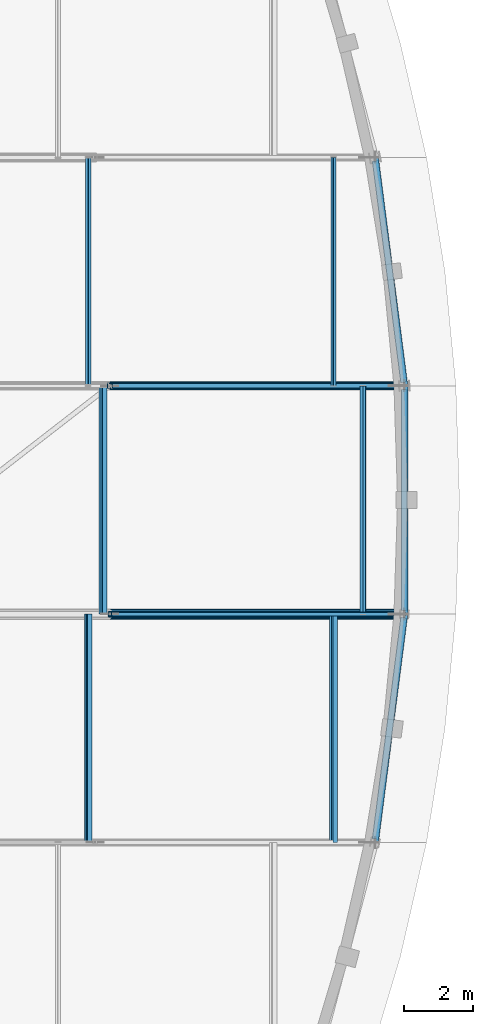
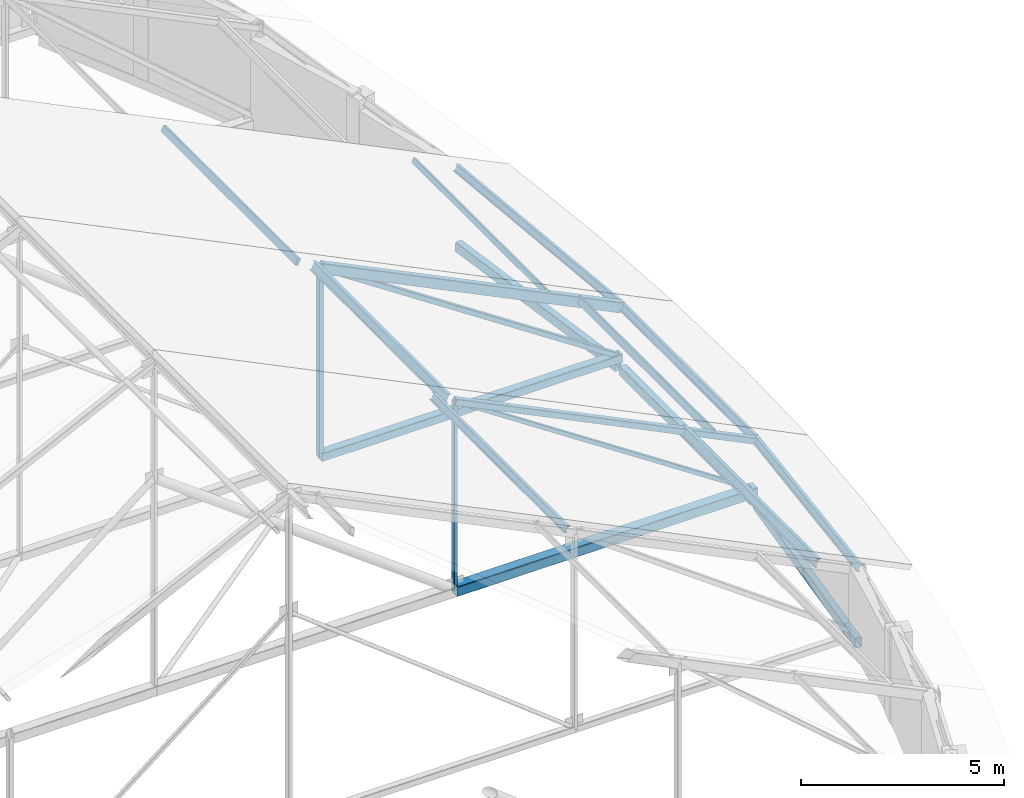
# One storey, part 32 of 78: 17 members, 3 beams.
"""IFC4 building model written with IfcOpenShell, lengths in metres."""

from ifc_helpers import new_model, si_unit, direction, frame, origin, origin_2d, place, context, subcontext, project, spatial, hollow_rectangle, i_section, extrude, material, material_profile, profile_set, type_object, element, save


model = new_model("IFC4")

# Units and contexts
model_context = context("Model", 3, precision=1e-05, world=origin(), true_north=direction((0.0, 1.0)))
body_context = subcontext(model_context, "Body", "Model", "MODEL_VIEW")
ifc_project = project(units=[si_unit("LENGTHUNIT", "METRE"), si_unit("AREAUNIT", "SQUARE_METRE"), si_unit("VOLUMEUNIT", "CUBIC_METRE"), si_unit("PLANEANGLEUNIT", "RADIAN"), si_unit("MASSUNIT", "GRAM", prefix="KILO")], contexts=[model_context])

# Site, building, storey
site_placement = place(None, origin())
site = spatial("IfcSite", under=ifc_project, at=site_placement, CompositionType="ELEMENT")
building_placement = place(site_placement, origin())
building = spatial("IfcBuilding", under=site, at=building_placement, Name="Kelanivale Promenade Academy", CompositionType="ELEMENT")
storey_placement = place(building_placement, frame((0.0, 0.0, 16.199951171875)))
storey = spatial("IfcBuildingStorey", under=building, at=storey_placement, Name="L04", CompositionType="ELEMENT", Elevation=16.199951171875)

# Members
ifc_material = material(Name="Steel S355", Category="steel")
ifc_material_profile_1 = material_profile(ifc_material, i_section(OverallWidth=0.13330078125, OverallDepth=0.203125, WebThickness=0.005615234375, FlangeThickness=0.0078125, FilletRadius=0.007568359375, at=origin_2d()), Name="UB 203x133x25")
ifc_profile_set_1 = profile_set([ifc_material_profile_1], Name="Steel S355")
member_type_1 = type_object("IfcMemberType", Name="PR-01 UB 203x133x25", PredefinedType="PURLIN", material=ifc_profile_set_1)
member_1_placement = place(storey_placement, frame((155.44091796875, 46.257080078125, 2.155029296875), z_axis=(0.127384043032, 0.989905992098, -0.062124330087), x_axis=(-0.887736172532, 0.141724072754, 0.437994035554)))
element("IfcMember", 1, at=member_1_placement, inside=storey, type_object=member_type_1, Name="Assembly Hall Arc Pavilion roof tie purlin PR-01", PredefinedType="PURLIN", context=body_context, shape_type="SweptSolid", body=[
    extrude(i_section(OverallWidth=0.13330078125, OverallDepth=0.203125, WebThickness=0.005615234375, FlangeThickness=0.0078125, FilletRadius=0.007568359375, at=origin_2d()), origin(), (0.0, 0.0, 1.0), 6.696533203125),
])
member_2_placement = place(storey_placement, frame((147.1201171875, 46.257080078125, 6.236083984375), z_axis=(0.0, 1.0, 0.0), x_axis=(-0.898564392509, 0.0, 0.438841694139)))
element("IfcMember", 2, at=member_2_placement, inside=storey, type_object=member_type_1, Name="Assembly Hall Arc Pavilion roof purlin PR-01", PredefinedType="PURLIN", context=body_context, shape_type="SweptSolid", body=[
    extrude(i_section(OverallWidth=0.13330078125, OverallDepth=0.203125, WebThickness=0.005615234375, FlangeThickness=0.0078125, FilletRadius=0.007568359375, at=origin_2d()), origin(), (0.0, 0.0, 1.0), 6.62890625),
])
member_3_placement = place(storey_placement, frame((156.2939453125, 52.885986328125, 1.739013671875), z_axis=(0.0, 1.0, 0.0), x_axis=(-0.898564392509, 0.0, 0.438841694139)))
element("IfcMember", 3, at=member_3_placement, inside=storey, type_object=member_type_1, Name="Assembly Hall Arc Pavilion roof tie purlin PR-01", PredefinedType="PURLIN", context=body_context, shape_type="SweptSolid", body=[
    extrude(i_section(OverallWidth=0.13330078125, OverallDepth=0.203125, WebThickness=0.005615234375, FlangeThickness=0.0078125, FilletRadius=0.007568359375, at=origin_2d()), origin(), (0.0, 0.0, 1.0), 6.6279296875),
])
member_4_placement = place(storey_placement, frame((156.2939453125, 59.513916015625, 1.739013671875), z_axis=(-0.127379445914, 0.989906724357, 0.062122088105), x_axis=(-0.887736958806, -0.14171895831, 0.437994096794)))
element("IfcMember", 4, at=member_4_placement, inside=storey, type_object=member_type_1, Name="Assembly Hall Arc Pavilion roof tie purlin PR-01", PredefinedType="PURLIN", context=body_context, shape_type="SweptSolid", body=[
    extrude(i_section(OverallWidth=0.13330078125, OverallDepth=0.203125, WebThickness=0.005615234375, FlangeThickness=0.0078125, FilletRadius=0.007568359375, at=origin_2d()), origin(), (0.0, 0.0, 1.0), 6.69677734375),
])
ifc_material_profile_2 = material_profile(ifc_material, i_section(OverallWidth=0.14599609375, OverallDepth=0.25146484375, WebThickness=0.006103515625, FlangeThickness=0.008544921875, FilletRadius=0.007568359375, at=origin_2d()), Name="UB 254x146x31")
ifc_profile_set_2 = profile_set([ifc_material_profile_2], Name="Steel S355")
member_type_2 = type_object("IfcMemberType", Name="PR-02 UB 254x146x31", PredefinedType="PURLIN", material=ifc_profile_set_2)
member_5_placement = place(storey_placement, frame((154.240966796875, 46.257080078125, 2.73095703125), z_axis=(0.0, 1.0, 0.0), x_axis=(-0.898564392509, 0.0, 0.438841694139)))
element("IfcMember", 5, at=member_5_placement, inside=storey, type_object=member_type_2, Name="Assembly Hall Arc Pavilion roof purlin PR-02", PredefinedType="PURLIN", context=body_context, shape_type="SweptSolid", body=[
    extrude(i_section(OverallWidth=0.14599609375, OverallDepth=0.25146484375, WebThickness=0.006103515625, FlangeThickness=0.008544921875, FilletRadius=0.007568359375, at=origin_2d()), origin(), (0.0, 0.0, 1.0), 6.62890625),
])
member_6_placement = place(storey_placement, frame((147.547119140625, 52.885986328125, 6.0009765625), z_axis=(0.0, 1.0, 0.0), x_axis=(-0.898564392509, 0.0, 0.438841694139)))
element("IfcMember", 6, at=member_6_placement, inside=storey, type_object=member_type_2, Name="Assembly Hall Arc Pavilion roof purlin PR-02", PredefinedType="PURLIN", context=body_context, shape_type="SweptSolid", body=[
    extrude(i_section(OverallWidth=0.14599609375, OverallDepth=0.25146484375, WebThickness=0.006103515625, FlangeThickness=0.008544921875, FilletRadius=0.007568359375, at=origin_2d()), origin(), (0.0, 0.0, 1.0), 6.6279296875),
])
ifc_material_profile_3 = material_profile(ifc_material, hollow_rectangle(XDim=0.10009765625, YDim=0.199951171875, WallThickness=0.008056640625, InnerFilletRadius=0.008056640625, OuterFilletRadius=0.01611328125, at=origin_2d()), Name="RHS 200x100x8.0")
ifc_profile_set_3 = profile_set([ifc_material_profile_3], Name="Steel S355")
member_type_3 = type_object("IfcMemberType", Name="PR-03 RHS 200x100x8.0", PredefinedType="PURLIN", material=ifc_profile_set_3)
member_7_placement = place(storey_placement, frame((155.093994140625, 52.885986328125, 2.343994140625), z_axis=(0.0, 1.0, 0.0), x_axis=(-0.898564392509, 0.0, 0.438841694139)))
element("IfcMember", 7, at=member_7_placement, inside=storey, type_object=member_type_3, Name="Assembly Hall Arc Pavilion roof purlin PR-03", PredefinedType="PURLIN", context=body_context, shape_type="SweptSolid", body=[
    extrude(hollow_rectangle(XDim=0.10009765625, YDim=0.199951171875, WallThickness=0.008056640625, InnerFilletRadius=0.008056640625, OuterFilletRadius=0.01611328125, at=origin_2d()), origin(), (0.0, 0.0, 1.0), 6.6279296875),
])
member_8_placement = place(storey_placement, frame((147.1201171875, 59.513916015625, 6.238037109375), z_axis=(0.0, 1.0, 0.0), x_axis=(-0.898564392509, 0.0, 0.438841694139)))
element("IfcMember", 8, at=member_8_placement, inside=storey, type_object=member_type_3, Name="Assembly Hall Arc Pavilion roof purlin PR-03", PredefinedType="PURLIN", context=body_context, shape_type="SweptSolid", body=[
    extrude(hollow_rectangle(XDim=0.10009765625, YDim=0.199951171875, WallThickness=0.008056640625, InnerFilletRadius=0.008056640625, OuterFilletRadius=0.01611328125, at=origin_2d()), origin(), (0.0, 0.0, 1.0), 6.629150390625),
])
ifc_material_profile_4 = material_profile(ifc_material, hollow_rectangle(XDim=0.10009765625, YDim=0.14990234375, WallThickness=0.008056640625, InnerFilletRadius=0.008056640625, OuterFilletRadius=0.01611328125, at=origin_2d()), Name="RHS 150x100x8.0")
ifc_profile_set_4 = profile_set([ifc_material_profile_4], Name="Steel S355")
member_type_4 = type_object("IfcMemberType", Name="PR-04 RHS 150x100x8.0", PredefinedType="PURLIN", material=ifc_profile_set_4)
member_9_placement = place(storey_placement, frame((154.240966796875, 59.513916015625, 2.7880859375), z_axis=(0.0, 1.0, 0.0), x_axis=(-0.898564392509, 0.0, 0.438841694139)))
element("IfcMember", 9, at=member_9_placement, inside=storey, type_object=member_type_4, Name="Assembly Hall Arc Pavilion roof purlin PR-04", PredefinedType="PURLIN", context=body_context, shape_type="SweptSolid", body=[
    extrude(hollow_rectangle(XDim=0.10009765625, YDim=0.14990234375, WallThickness=0.008056640625, InnerFilletRadius=0.008056640625, OuterFilletRadius=0.01611328125, at=origin_2d()), origin(), (0.0, 0.0, 1.0), 6.629150390625),
])

# Beams
ifc_material_profile_5 = material_profile(ifc_material, hollow_rectangle(XDim=0.199951171875, YDim=0.300048828125, WallThickness=0.012451171875, InnerFilletRadius=0.012451171875, OuterFilletRadius=0.02490234375, at=origin_2d()), Name="RHS 300x200x12.5")
ifc_profile_set_5 = profile_set([ifc_material_profile_5], Name="Steel S355")
beam_type = type_object("IfcBeamType", Name="SB-14 RHS 300x200x12.5", PredefinedType="SPANDREL", material=ifc_profile_set_5)
beam_1_placement = place(storey_placement, frame((155.4541015625, 46.35595703125, -0.14990234375), z_axis=(0.12752809224, 0.991834958897, 0.0), x_axis=(-0.991834958897, 0.12752809224, 0.0)))
element("IfcBeam", 10, at=beam_1_placement, inside=storey, type_object=beam_type, Name="Assembly Hall Arc Pavilion curved ring beam SB-14", PredefinedType="SPANDREL", context=body_context, shape_type="SweptSolid", body=[
    extrude(hollow_rectangle(XDim=0.199951171875, YDim=0.300048828125, WallThickness=0.012451171875, InnerFilletRadius=0.012451171875, OuterFilletRadius=0.02490234375, at=origin_2d()), origin(), (0.0, 0.0, 1.0), 6.484130859375),
])
beam_2_placement = place(storey_placement, frame((156.2939453125, 52.986083984375, -0.14990234375), z_axis=(0.0, 1.0, 0.0), x_axis=(-1.0, 0.0, 0.0)))
element("IfcBeam", 11, at=beam_2_placement, inside=storey, type_object=beam_type, Name="Assembly Hall Arc Pavilion curved ring beam SB-14", PredefinedType="SPANDREL", context=body_context, shape_type="SweptSolid", body=[
    extrude(hollow_rectangle(XDim=0.199951171875, YDim=0.300048828125, WallThickness=0.012451171875, InnerFilletRadius=0.012451171875, OuterFilletRadius=0.02490234375, at=origin_2d()), origin(), (0.0, 0.0, 1.0), 6.427978515625),
])
beam_3_placement = place(storey_placement, frame((156.281005859375, 59.613037109375, -0.14990234375), z_axis=(-0.127532854927, 0.991834346509, 0.0), x_axis=(-0.991834346509, -0.127532854927, 0.0)))
element("IfcBeam", 12, at=beam_3_placement, inside=storey, type_object=beam_type, Name="Assembly Hall Arc Pavilion curved ring beam SB-14", PredefinedType="SPANDREL", context=body_context, shape_type="SweptSolid", body=[
    extrude(hollow_rectangle(XDim=0.199951171875, YDim=0.300048828125, WallThickness=0.012451171875, InnerFilletRadius=0.012451171875, OuterFilletRadius=0.02490234375, at=origin_2d()), origin(), (0.0, 0.0, 1.0), 6.48388671875),
])

# Members
ifc_material_profile_6 = material_profile(ifc_material, hollow_rectangle(XDim=0.300048828125, YDim=0.300048828125, WallThickness=0.01611328125, InnerFilletRadius=0.01611328125, OuterFilletRadius=0.031982421875, at=origin_2d()), Name="SHS 300x300x16.0")
ifc_profile_set_6 = profile_set([ifc_material_profile_6], Name="Steel S355")
member_type_5 = type_object("IfcMemberType", Name="TC-01 SHS 300x300x16.0", PredefinedType="CHORD", material=ifc_profile_set_6)
member_10_placement = place(storey_placement, frame((147.7470703125, 52.885986328125, 0.199951171875), z_axis=(1.0, 0.0, 0.0), x_axis=(0.0, 1.0, 0.0)))
element("IfcMember", 13, at=member_10_placement, inside=storey, type_object=member_type_5, Name="ROOF TRUSS AH-TR4 bottom chord 4", PredefinedType="CHORD", context=body_context, shape_type="SweptSolid", body=[
    extrude(hollow_rectangle(XDim=0.300048828125, YDim=0.300048828125, WallThickness=0.01611328125, InnerFilletRadius=0.01611328125, OuterFilletRadius=0.031982421875, at=origin_2d()), origin(), (0.0, 0.0, 1.0), 8.546875),
])
ifc_material_profile_7 = material_profile(ifc_material, hollow_rectangle(XDim=0.25, YDim=0.25, WallThickness=0.012451171875, InnerFilletRadius=0.012451171875, OuterFilletRadius=0.02490234375, at=origin_2d()), Name="SHS 250x250x12.5")
ifc_profile_set_7 = profile_set([ifc_material_profile_7], Name="Steel S355")
member_type_6 = type_object("IfcMemberType", Name="TC-02 SHS 250x250x12.5", PredefinedType="CHORD", material=ifc_profile_set_7)
member_11_placement = place(storey_placement, frame((147.7470703125, 59.513916015625, 0.199951171875), z_axis=(1.0, 0.0, 0.0), x_axis=(0.0, 1.0, 0.0)))
element("IfcMember", 14, at=member_11_placement, inside=storey, type_object=member_type_6, Name="ROOF TRUSS AH-TR5 bottom chord 4", PredefinedType="CHORD", context=body_context, shape_type="SweptSolid", body=[
    extrude(hollow_rectangle(XDim=0.25, YDim=0.25, WallThickness=0.012451171875, InnerFilletRadius=0.012451171875, OuterFilletRadius=0.02490234375, at=origin_2d()), origin(), (0.0, 0.0, 1.0), 8.546875),
])
ifc_material_profile_8 = material_profile(ifc_material, hollow_rectangle(XDim=0.179931640625, YDim=0.179931640625, WallThickness=0.010009765625, InnerFilletRadius=0.010009765625, OuterFilletRadius=0.02001953125, at=origin_2d()), Name="SHS 180x180x10.0")
ifc_profile_set_8 = profile_set([ifc_material_profile_8], Name="Steel S355")
member_type_7 = type_object("IfcMemberType", Name="TC-04 SHS 180x180x10.0", PredefinedType="CHORD", material=ifc_profile_set_8)
member_12_placement = place(storey_placement, frame((147.7470703125, 52.885986328125, 5.8681640625), z_axis=(0.89856680985, 0.0, -0.438836744401), x_axis=(0.0, 1.0, 0.0)))
element("IfcMember", 15, at=member_12_placement, inside=storey, type_object=member_type_7, Name="ROOF TRUSS AH-TR4 top chord 4", PredefinedType="CHORD", context=body_context, shape_type="SweptSolid", body=[
    extrude(hollow_rectangle(XDim=0.179931640625, YDim=0.179931640625, WallThickness=0.010009765625, InnerFilletRadius=0.010009765625, OuterFilletRadius=0.02001953125, at=origin_2d()), origin(), (0.0, 0.0, 1.0), 9.51171875),
])
ifc_material_profile_9 = material_profile(ifc_material, hollow_rectangle(XDim=0.199951171875, YDim=0.300048828125, WallThickness=0.012451171875, InnerFilletRadius=0.012451171875, OuterFilletRadius=0.02490234375, at=origin_2d()), Name="RHS 300x200x12.5")
ifc_profile_set_9 = profile_set([ifc_material_profile_9], Name="Steel S355")
member_type_8 = type_object("IfcMemberType", Name="TC-05 RHS 300x200x12.5", PredefinedType="CHORD", material=ifc_profile_set_9)
member_13_placement = place(storey_placement, frame((147.7470703125, 59.513916015625, 5.8681640625), z_axis=(0.89856680985, 0.0, -0.438836744401), x_axis=(0.0, 1.0, 0.0)))
element("IfcMember", 16, at=member_13_placement, inside=storey, type_object=member_type_8, Name="ROOF TRUSS AH-TR5 top chord 4", PredefinedType="CHORD", context=body_context, shape_type="SweptSolid", body=[
    extrude(hollow_rectangle(XDim=0.199951171875, YDim=0.300048828125, WallThickness=0.012451171875, InnerFilletRadius=0.012451171875, OuterFilletRadius=0.02490234375, at=origin_2d()), origin(), (0.0, 0.0, 1.0), 9.51171875),
])
ifc_material_profile_10 = material_profile(ifc_material, hollow_rectangle(XDim=0.14990234375, YDim=0.14990234375, WallThickness=0.010009765625, InnerFilletRadius=0.010009765625, OuterFilletRadius=0.02001953125, at=origin_2d()), Name="SHS 150x150x10.0")
ifc_profile_set_10 = profile_set([ifc_material_profile_10], Name="Steel S355")
member_type_9 = type_object("IfcMemberType", Name="TD-01 SHS 150x150x10.0", PredefinedType="BRACE", material=ifc_profile_set_10)
member_14_placement = place(storey_placement, frame((156.2939453125, 59.513916015625, 0.199951171875), z_axis=(-0.833384651338, 0.0, 0.552693425792), x_axis=(0.0, -1.0, 0.0)))
element("IfcMember", 17, at=member_14_placement, inside=storey, type_object=member_type_9, Name="ROOF TRUSS AH-TR5 web diagonal 4", PredefinedType="BRACE", context=body_context, shape_type="SweptSolid", body=[
    extrude(hollow_rectangle(XDim=0.14990234375, YDim=0.14990234375, WallThickness=0.010009765625, InnerFilletRadius=0.010009765625, OuterFilletRadius=0.02001953125, at=origin_2d()), origin(), (0.0, 0.0, 1.0), 10.255615234375),
])
ifc_material_profile_11 = material_profile(ifc_material, hollow_rectangle(XDim=0.1201171875, YDim=0.1201171875, WallThickness=0.008056640625, InnerFilletRadius=0.008056640625, OuterFilletRadius=0.01611328125, at=origin_2d()), Name="SHS 120x120x8.0")
ifc_profile_set_11 = profile_set([ifc_material_profile_11], Name="Steel S355")
member_type_10 = type_object("IfcMemberType", Name="TD-02 SHS 120x120x8.0", PredefinedType="BRACE", material=ifc_profile_set_11)
member_15_placement = place(storey_placement, frame((156.2939453125, 52.885986328125, 0.199951171875), z_axis=(-0.833384651338, 0.0, 0.552693425792), x_axis=(0.0, -1.0, 0.0)))
element("IfcMember", 18, at=member_15_placement, inside=storey, type_object=member_type_10, Name="ROOF TRUSS AH-TR4 web diagonal 4", PredefinedType="BRACE", context=body_context, shape_type="SweptSolid", body=[
    extrude(hollow_rectangle(XDim=0.1201171875, YDim=0.1201171875, WallThickness=0.008056640625, InnerFilletRadius=0.008056640625, OuterFilletRadius=0.01611328125, at=origin_2d()), origin(), (0.0, 0.0, 1.0), 10.255615234375),
])
ifc_material_profile_12 = material_profile(ifc_material, hollow_rectangle(XDim=0.10009765625, YDim=0.14990234375, WallThickness=0.008056640625, InnerFilletRadius=0.008056640625, OuterFilletRadius=0.01611328125, at=origin_2d()), Name="RHS 150x100x8.0")
ifc_profile_set_12 = profile_set([ifc_material_profile_12], Name="Steel S355")
member_type_11 = type_object("IfcMemberType", Name="TV-03 RHS 150x100x8.0", PredefinedType="STRUT", material=ifc_profile_set_12)
member_16_placement = place(storey_placement, frame((147.7470703125, 52.885986328125, 0.199951171875), z_axis=(0.0, 0.0, 1.0), x_axis=(1.0, 0.0, 0.0)))
element("IfcMember", 19, at=member_16_placement, inside=storey, type_object=member_type_11, Name="ROOF TRUSS AH-TR4 vertical strut 3", PredefinedType="STRUT", context=body_context, shape_type="SweptSolid", body=[
    extrude(hollow_rectangle(XDim=0.10009765625, YDim=0.14990234375, WallThickness=0.008056640625, InnerFilletRadius=0.008056640625, OuterFilletRadius=0.01611328125, at=origin_2d()), origin(), (0.0, 0.0, 1.0), 5.668212890625),
])
ifc_material_profile_13 = material_profile(ifc_material, hollow_rectangle(XDim=0.14990234375, YDim=0.14990234375, WallThickness=0.010009765625, InnerFilletRadius=0.010009765625, OuterFilletRadius=0.02001953125, at=origin_2d()), Name="SHS 150x150x10.0")
ifc_profile_set_13 = profile_set([ifc_material_profile_13], Name="Steel S355")
member_type_12 = type_object("IfcMemberType", Name="TV-04 SHS 150x150x10.0", PredefinedType="STRUT", material=ifc_profile_set_13)
member_17_placement = place(storey_placement, frame((147.7470703125, 59.513916015625, 0.199951171875), z_axis=(0.0, 0.0, 1.0), x_axis=(1.0, 0.0, 0.0)))
element("IfcMember", 20, at=member_17_placement, inside=storey, type_object=member_type_12, Name="ROOF TRUSS AH-TR5 vertical strut 3", PredefinedType="STRUT", context=body_context, shape_type="SweptSolid", body=[
    extrude(hollow_rectangle(XDim=0.14990234375, YDim=0.14990234375, WallThickness=0.010009765625, InnerFilletRadius=0.010009765625, OuterFilletRadius=0.02001953125, at=origin_2d()), origin(), (0.0, 0.0, 1.0), 5.668212890625),
])

save(model, "model.ifc")
